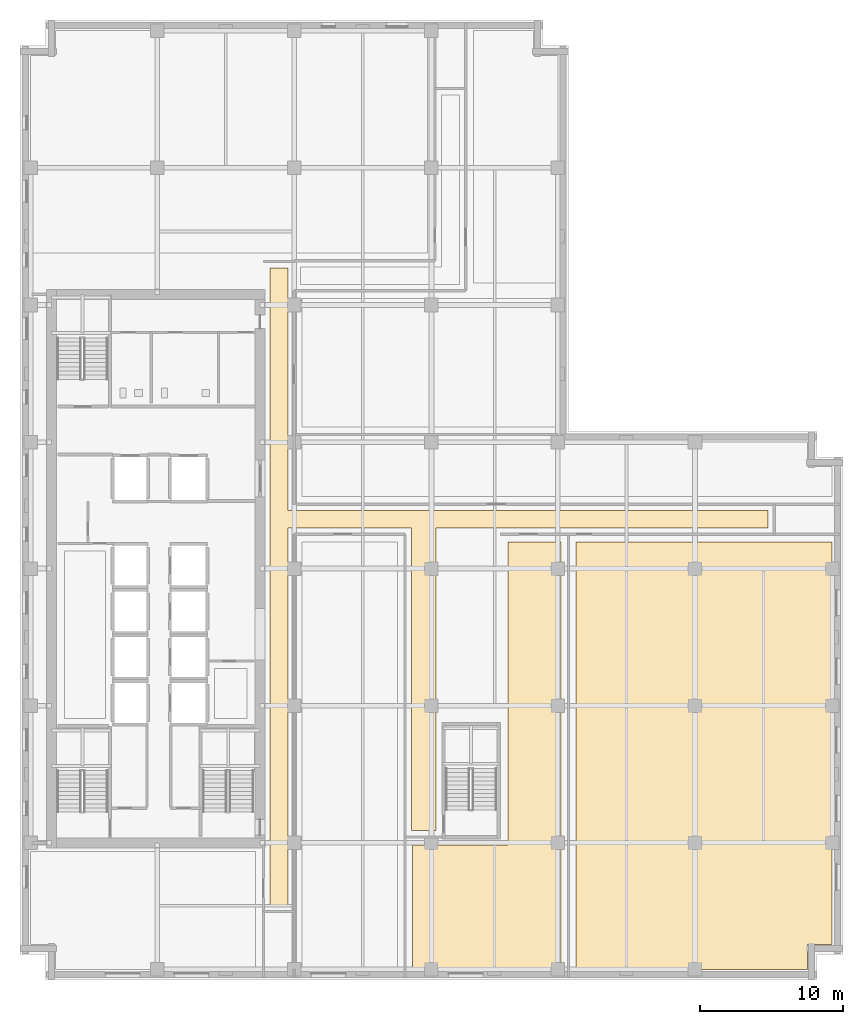
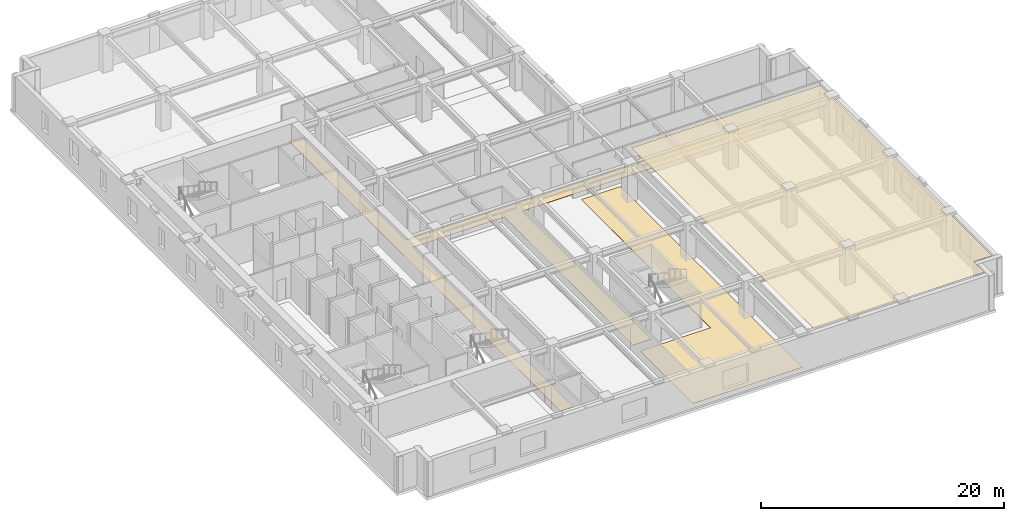
# One storey, part 11 of 14: 3 coverings.
"""IFC4 building model written with IfcOpenShell, lengths in metres."""

import ifcopenshell
import ifcopenshell.guid

model = None  # the IFC model being written
_history = None  # IfcOwnerHistory: only IFC2X3 demands one
_inside = {}  # id of a spatial element -> (the spatial element, [elements in it])
_under = {}  # id of a project, library or spatial element -> (it, [spatial elements below it])
_declared = {}  # id of a project -> (the project, [libraries it declares])
_typed = {}  # id of a type object -> (the type object, [elements of that type])
_made_of = {}  # id of a material, layer set ... -> (it, [elements and type objects made of it])


def new_model(schema):
    """Start an empty IFC model of exactly this schema.

    Asked for "IFC4X3", IfcOpenShell would pick the latest addendum, in which some entities
    have other attributes; the version numbers below select the first issue.
    IFC2X3 requires an IfcOwnerHistory on every rooted entity: one is made here for all.
    """
    global model, _history
    if schema == "IFC4X3":
        model = ifcopenshell.file(schema_version=(4, 3, 0, 0))
    else:
        model = ifcopenshell.file(schema=schema)
    _inside.clear()
    _under.clear()
    _declared.clear()
    _typed.clear()
    _made_of.clear()
    _history = None
    if model.schema == "IFC2X3":
        org = make("IfcOrganization", Name="unknown")
        user = make(
            "IfcPersonAndOrganization",
            ThePerson=make("IfcPerson", FamilyName="unknown"),
            TheOrganization=org,
        )
        app = make(
            "IfcApplication",
            ApplicationDeveloper=org,
            Version="unknown",
            ApplicationFullName="unknown",
            ApplicationIdentifier="unknown",
        )
        _history = make(
            "IfcOwnerHistory",
            OwningUser=user,
            OwningApplication=app,
            ChangeAction="ADDED",
            CreationDate=0,
        )
    return model


def make(cls, **values):
    """One entity of the class cls with the attributes given. An attribute that is None is left unset."""
    return model.create_entity(
        cls, **{name: value for name, value in values.items() if value is not None}
    )


def rooted(cls, **values):
    """An entity with a GlobalId (a new one), such as an element, a storey or a relation."""
    return make(cls, GlobalId=ifcopenshell.guid.new(), OwnerHistory=_history, **values)


def si_unit(unit_type, name, prefix=None):
    """IfcSIUnit, for example si_unit("LENGTHUNIT", "METRE", prefix="MILLI")."""
    return make("IfcSIUnit", UnitType=unit_type, Prefix=prefix, Name=name)


def assignment(units):
    """IfcUnitAssignment: the units of a project."""
    return None if units is None else make("IfcUnitAssignment", Units=units)


def point(xyz):
    """IfcCartesianPoint."""
    return None if xyz is None else make("IfcCartesianPoint", Coordinates=xyz)


def direction(xyz):
    """IfcDirection."""
    return None if xyz is None else make("IfcDirection", DirectionRatios=xyz)


def frame(location, z_axis=None, x_axis=None):
    """IfcAxis2Placement3D, a coordinate frame: its origin and axes. An axis left out is left unset."""
    return make(
        "IfcAxis2Placement3D",
        Location=point(location),
        Axis=direction(z_axis),
        RefDirection=direction(x_axis),
    )


def origin():
    """The frame at (0, 0, 0) with its axes left unset."""
    return frame((0.0, 0.0, 0.0))


def place(relative_to, where):
    """IfcLocalPlacement: puts the frame where relative to a parent placement (None: the world)."""
    return make(
        "IfcLocalPlacement", PlacementRelTo=relative_to, RelativePlacement=where
    )


def context(
    kind, dimensions, precision=None, world=None, true_north=None, identifier=None
):
    """IfcGeometricRepresentationContext, for example the 3D "Model" context."""
    return make(
        "IfcGeometricRepresentationContext",
        ContextIdentifier=identifier,
        ContextType=kind,
        CoordinateSpaceDimension=dimensions,
        Precision=precision,
        WorldCoordinateSystem=world,
        TrueNorth=true_north,
    )


def subcontext(parent, identifier, kind, view, scale=None):
    """IfcGeometricRepresentationSubContext, for example "Body" below "Model"."""
    return make(
        "IfcGeometricRepresentationSubContext",
        ContextIdentifier=identifier,
        ContextType=kind,
        ParentContext=parent,
        TargetScale=scale,
        TargetView=view,
    )


def project(units=None, contexts=None):
    """IfcProject with its units and contexts."""
    return rooted(
        "IfcProject",
        Name="project",
        RepresentationContexts=contexts,
        UnitsInContext=assignment(units),
    )


def spatial(cls, under=None, at=None, **own):
    """A site, building, storey or space (cls), placed at a placement, below another one or the project."""
    s = rooted(cls, ObjectPlacement=at, **own)
    if under is not None:
        _under.setdefault(under.id(), (under, []))[1].append(s)
    return s


def polyline(points):
    """IfcPolyline through the points."""
    return make("IfcPolyline", Points=[point(p) for p in points])


def outline(outer, holes=None, kind="AREA"):
    """IfcArbitraryClosedProfileDef: a profile drawn as a closed curve; with holes, ...WithVoids."""
    if holes is None:
        return make("IfcArbitraryClosedProfileDef", ProfileType=kind, OuterCurve=outer)
    return make(
        "IfcArbitraryProfileDefWithVoids",
        ProfileType=kind,
        OuterCurve=outer,
        InnerCurves=holes,
    )


def extrude(swept, where, along, depth):
    """IfcExtrudedAreaSolid: the profile swept, set in the frame where, extruded along a direction by depth."""
    return make(
        "IfcExtrudedAreaSolid",
        SweptArea=swept,
        Position=where,
        ExtrudedDirection=direction(along),
        Depth=depth,
    )


def shape(context_of_items, identifier, shape_type, items):
    """IfcShapeRepresentation: the items that make up one representation, for example the "Body"."""
    return make(
        "IfcShapeRepresentation",
        ContextOfItems=context_of_items,
        RepresentationIdentifier=identifier,
        RepresentationType=shape_type,
        Items=items,
    )


def material(Name=None, Category=None):
    """IfcMaterial."""
    return make("IfcMaterial", Name=Name, Category=Category)


def layer(
    of_material, thickness, ventilated=None, Name=None, Category=None, Priority=None
):
    """IfcMaterialLayer: one layer of a wall or slab, of a material (None: an air gap)."""
    return make(
        "IfcMaterialLayer",
        Material=of_material,
        LayerThickness=thickness,
        IsVentilated=ventilated,
        Name=Name,
        Category=Category,
        Priority=Priority,
    )


def layer_set(layers, Name=None):
    """IfcMaterialLayerSet."""
    return make("IfcMaterialLayerSet", MaterialLayers=layers, LayerSetName=Name)


def made_of(thing, what):
    """Note that an element or type object is made of a material, layer set ...; save() writes the relation."""
    if what is not None:
        _made_of.setdefault(what.id(), (what, []))[1].append(thing)
    return thing


def type_object(cls, material=None, **own):
    """A type object (cls), such as IfcWallType, which elements share."""
    return made_of(rooted(cls, **own), material)


def element(
    cls,
    number,
    at=None,
    inside=None,
    cuts=None,
    type_object=None,
    material=None,
    context=None,
    identifier="Body",
    shape_type=None,
    held_by="IfcProductDefinitionShape",
    body=None,
    shapes=None,
    **own,
):
    """One element of the class cls, such as IfcWall. Its Tag is "e" and its number.

    at: its placement. inside: the storey or other place that contains it. cuts: it is an
    opening in that element (IfcRelVoidsElement). A single representation is given by context,
    identifier, shape_type and body (its items); several are given by shapes. held_by: the class
    of the entity that holds the representations. save() writes the other relations.
    """
    e = rooted(cls, Tag="e%d" % number, ObjectPlacement=at, **own)
    if body is not None:
        shapes = [shape(context, identifier, shape_type, body)]
    if shapes is not None:
        e.Representation = make(held_by, Representations=shapes)
    if inside is not None:
        _inside.setdefault(inside.id(), (inside, []))[1].append(e)
    if cuts is not None:
        rooted(
            "IfcRelVoidsElement", RelatingBuildingElement=cuts, RelatedOpeningElement=e
        )
    if type_object is not None:
        _typed.setdefault(type_object.id(), (type_object, []))[1].append(e)
    return made_of(e, material)


def aggregate(whole, parts):
    """IfcRelAggregates: a whole, such as a stair, and the parts it consists of."""
    return rooted("IfcRelAggregates", RelatingObject=whole, RelatedObjects=parts)


def save(model, path):
    """Write the relations noted so far, then the file.

    IfcRelAggregates (storeys below a building ...), IfcRelContainedInSpatialStructure (elements
    in a storey), IfcRelDefinesByType, IfcRelAssociatesMaterial and IfcRelDeclares: one each for
    every whole, place, type object, material and project.
    """
    for whole, parts in _under.values():
        aggregate(whole, parts)
    for where, things in _inside.values():
        rooted(
            "IfcRelContainedInSpatialStructure",
            RelatedElements=things,
            RelatingStructure=where,
        )
    for kind, things in _typed.values():
        rooted("IfcRelDefinesByType", RelatedObjects=things, RelatingType=kind)
    for what, things in _made_of.values():
        rooted("IfcRelAssociatesMaterial", RelatedObjects=things, RelatingMaterial=what)
    for by, libraries in _declared.values():
        rooted("IfcRelDeclares", RelatingContext=by, RelatedDefinitions=libraries)
    model.write(path)


model = new_model("IFC4")

# Units and contexts
model_context = context("Model", 3, precision=1e-05, world=origin(), true_north=direction((0.0, 1.0)))
body_context = subcontext(model_context, "Body", "Model", "MODEL_VIEW")
ifc_project = project(units=[si_unit("LENGTHUNIT", "METRE"), si_unit("AREAUNIT", "SQUARE_METRE"), si_unit("VOLUMEUNIT", "CUBIC_METRE"), si_unit("PLANEANGLEUNIT", "RADIAN"), si_unit("MASSUNIT", "GRAM", prefix="KILO")], contexts=[model_context])

# Site, building, storey
site_placement = place(None, origin())
site = spatial("IfcSite", under=ifc_project, at=site_placement, CompositionType="ELEMENT")
building_placement = place(site_placement, origin())
building = spatial("IfcBuilding", under=site, at=building_placement, Name="Norrvale University Quadrangle", CompositionType="ELEMENT")
storey_placement = place(building_placement, frame((0.0, 0.0, 156.0)))
storey = spatial("IfcBuildingStorey", under=building, at=storey_placement, Name="L39", CompositionType="ELEMENT", Elevation=156.0)

# Coverings
ifc_material_1 = material(Name="Perforated Acoustic Mineral Ceiling")
ifc_layer_1 = layer(ifc_material_1, 0.02490234375, Name="Perforated Acoustic Mineral Ceiling")
ifc_layer_set_1 = layer_set([ifc_layer_1], Name="Perforated Acoustic Mineral Ceiling")
covering_type_1 = type_object("IfcCoveringType", Name="Covering Acoustic Ceiling 25", PredefinedType="CEILING", material=ifc_layer_set_1)
covering_1_placement = place(storey_placement, frame((0.0, 0.0, 3.514892578125)))
element("IfcCovering", 1, at=covering_1_placement, inside=storey, type_object=covering_type_1, Name="Acoustic Ceiling RM-L39-SE3", PredefinedType="CEILING", context=body_context, shape_type="SweptSolid", body=[
    extrude(outline(polyline([(38.929931640625, 0.75), (38.929931640625, 30.669921875), (56.85009765625, 30.669921875), (56.85009765625, 2.469970703125), (55.1298828125, 2.469970703125), (55.1298828125, 0.75), (38.929931640625, 0.75)])), origin(), (0.0, 0.0, 1.0), 0.025146484375),
])
ifc_material_2 = material(Name="Polished Terrazzo Flooring")
ifc_layer_2 = layer(ifc_material_2, 0.02490234375, Name="Polished Terrazzo Flooring")
ifc_layer_set_2 = layer_set([ifc_layer_2], Name="Polished Terrazzo Flooring")
covering_type_2 = type_object("IfcCoveringType", Name="Covering Terrazzo Floor 30", PredefinedType="FLOORING", material=ifc_layer_set_2)
covering_2_placement = place(storey_placement, origin())
element("IfcCovering", 2, at=covering_2_placement, inside=storey, type_object=covering_type_2, Name="Terrazzo Flooring RM-L39-CORR1", PredefinedType="FLOORING", context=body_context, shape_type="SweptSolid", body=[
    extrude(outline(polyline([(17.5, 5.25), (17.5, 49.85009765625), (18.75, 49.85009765625), (18.75, 32.85009765625), (52.35009765625, 32.85009765625), (52.35009765625, 31.64990234375), (29.1298828125, 31.64990234375), (29.1298828125, 10.449951171875), (27.39990234375, 10.449951171875), (27.39990234375, 31.64990234375), (18.75, 31.64990234375), (18.75, 5.25), (17.5, 5.25)])), origin(), (0.0, 0.0, 1.0), 0.02490234375),
])
covering_3_placement = place(storey_placement, origin())
element("IfcCovering", 3, at=covering_3_placement, inside=storey, type_object=covering_type_2, Name="Terrazzo Flooring RM-L39-SE2", PredefinedType="FLOORING", context=body_context, shape_type="SweptSolid", body=[
    extrude(outline(polyline([(27.47998046875, 9.449951171875), (34.14990234375, 9.449951171875), (34.14990234375, 30.669921875), (37.8701171875, 30.669921875), (37.8701171875, 0.75), (27.47998046875, 0.75), (27.47998046875, 9.449951171875)])), origin(), (0.0, 0.0, 1.0), 0.02490234375),
])

save(model, "model.ifc")
